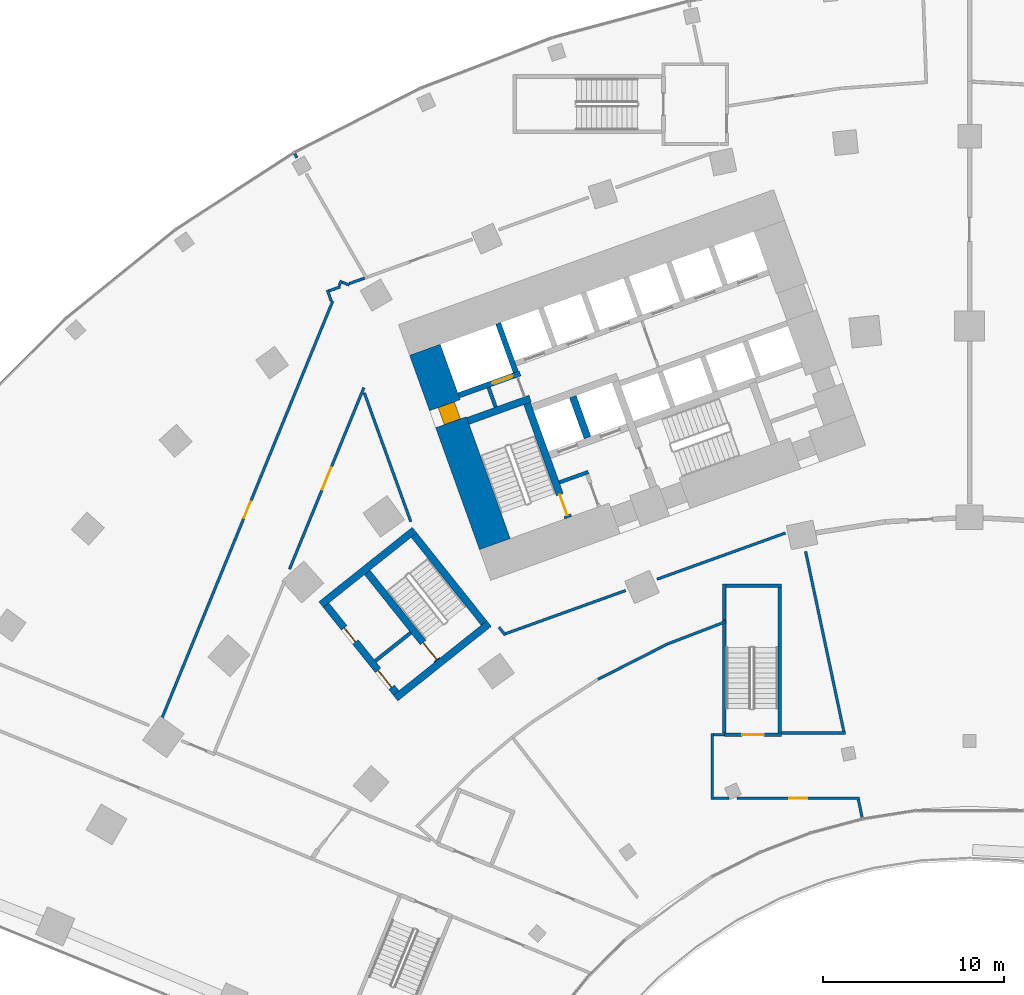
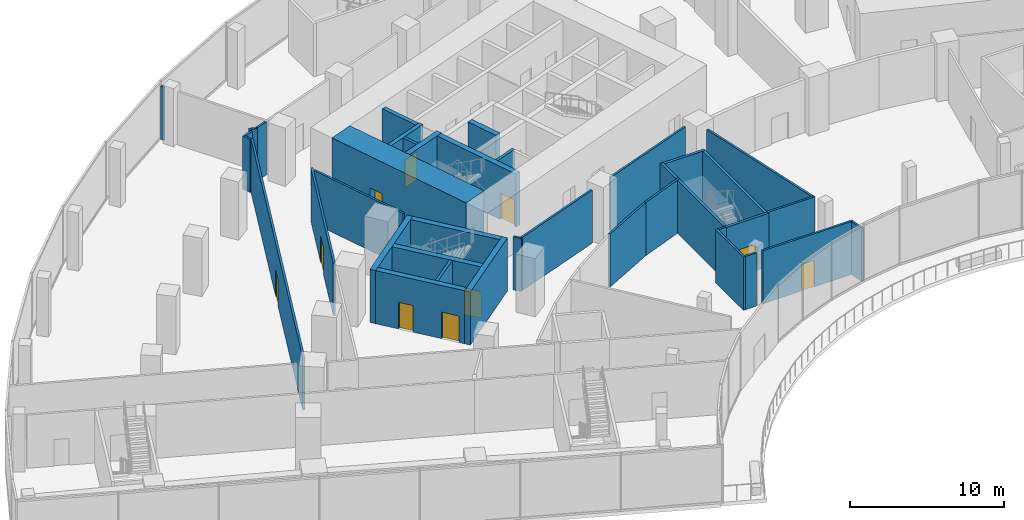
# One storey, part 23 of 39: 40 walls, 10 doors, 10 openings.
"""IFC4 building model written with IfcOpenShell, lengths in metres."""

from ifc_helpers import new_model, si_unit, direction, frame, frame_2d, origin, place, context, subcontext, project, spatial, rectangle, extrude, material, layer, layer_set, type_object, element, fill, save


model = new_model("IFC4")

# Units and contexts
model_context = context("Model", 3, precision=1e-05, world=origin(), true_north=direction((0.0, 1.0)))
body_context = subcontext(model_context, "Body", "Model", "MODEL_VIEW")
ifc_project = project(units=[si_unit("LENGTHUNIT", "METRE"), si_unit("AREAUNIT", "SQUARE_METRE"), si_unit("VOLUMEUNIT", "CUBIC_METRE"), si_unit("PLANEANGLEUNIT", "RADIAN"), si_unit("MASSUNIT", "GRAM", prefix="KILO")], contexts=[model_context])

# Site, building, storey
site_placement = place(None, origin())
site = spatial("IfcSite", under=ifc_project, at=site_placement, CompositionType="ELEMENT")
building_placement = place(site_placement, origin())
building = spatial("IfcBuilding", under=site, at=building_placement, Name="Stone Belt Terrace Tower", CompositionType="ELEMENT")
storey_placement = place(building_placement, frame((0.0, 0.0, 20.800048828125)))
storey = spatial("IfcBuildingStorey", under=building, at=storey_placement, Name="L04", CompositionType="ELEMENT", Elevation=20.800048828125)

# Wall, opening, door
ifc_material_1 = material(Name="Concrete B80", Category="concrete")
ifc_layer_1 = layer(ifc_material_1, 1.800048828125)
ifc_layer_set_1 = layer_set([ifc_layer_1], Name="Core wall 1800 B80")
wall_type_1 = type_object("IfcWallType", Name="Core wall 1800 B80", PredefinedType="SHEAR", material=ifc_layer_set_1)
wall_1_placement = place(storey_placement, frame((-26.197509765625, 42.96728515625, 0.0), z_axis=(0.0, 0.0, 1.0), x_axis=(-0.338625431531, 0.940921259788, 0.0)))
wall_1 = element("IfcWall", 1, at=wall_1_placement, inside=storey, type_object=wall_type_1, Name="Core A wall end_a L04", PredefinedType="SHEAR", context=body_context, shape_type="SweptSolid", body=[
    extrude(rectangle(XDim=11.400146484375, YDim=1.800048828125, at=frame_2d((5.7001953125, 0.0))), origin(), (0.0, 0.0, 1.0), 4.599853515625),
])
opening_1_placement = place(wall_1_placement, frame((7.150146484375, 0.0, 0.0)))
opening_1 = element("IfcOpeningElement", 2, at=opening_1_placement, cuts=wall_1, Name="Opening L04-C01", PredefinedType="OPENING", context=body_context, shape_type="SweptSolid", body=[
    extrude(rectangle(XDim=1.0, YDim=2.10009765625, at=frame_2d((0.5, 1.050048828125))), frame((0.0, 0.909912109375, 0.0), z_axis=(0.0, -1.0, 0.0), x_axis=(1.0, 0.0, 0.0)), (0.0, 0.0, 1.0), 1.820068359375),
])
ifc_material_2 = material(Name="Timber door leaf", Category="wood")
door_type_1 = type_object("IfcDoorType", Name="Core room door 1000", OperationType="SINGLE_SWING_LEFT", PredefinedType="DOOR", material=ifc_material_2)
door_1_placement = place(opening_1_placement, origin())
door_1 = element("IfcDoor", 3, at=door_1_placement, inside=storey, type_object=door_type_1, Name="Door to Telecommunications riser room core A", OperationType="SINGLE_SWING_RIGHT", OverallHeight=2.10009765625, OverallWidth=1.0, PredefinedType="DOOR", context=body_context, shape_type="SweptSolid", body=[
    extrude(rectangle(XDim=1.0, YDim=2.10009765625, at=frame_2d((0.5, 1.050048828125))), frame((0.0, 0.39501953125, 0.0), z_axis=(0.0, -1.0, 0.0), x_axis=(1.0, 0.0, 0.0)), (0.0, 0.0, 1.0), 0.949951171875),
])
fill(opening_1, door_1)

# Wall
ifc_layer_2 = layer(ifc_material_1, 0.39990234375)
ifc_layer_set_2 = layer_set([ifc_layer_2], Name="Fire-fighting lift shaft wall 400")
wall_type_2 = type_object("IfcWallType", Name="Fire-fighting lift shaft wall 400", PredefinedType="SHEAR", material=ifc_layer_set_2)
wall_2_placement = place(storey_placement, frame((-21.0859375, 48.845458984375, 0.0), z_axis=(0.0, 0.0, 1.0), x_axis=(-0.338629416206, 0.940919825745, 0.0)))
element("IfcWall", 4, at=wall_2_placement, inside=storey, type_object=wall_type_2, Name="Core A wall", PredefinedType="SHEAR", context=body_context, shape_type="SweptSolid", body=[
    extrude(rectangle(XDim=2.400146484375, YDim=0.39990234375, at=frame_2d((1.2001953125, 0.0))), origin(), (0.0, 0.0, 1.0), 4.199951171875),
])

# Wall, opening, door
ifc_layer_3 = layer(ifc_material_1, 0.300048828125)
ifc_layer_set_3 = layer_set([ifc_layer_3], Name="Lift shaft wall 300")
wall_type_3 = type_object("IfcWallType", Name="Lift shaft wall 300", PredefinedType="SHEAR", material=ifc_layer_set_3)
wall_3_placement = place(storey_placement, frame((-28.195068359375, 51.17578125, 0.0), z_axis=(0.0, 0.0, 1.0), x_axis=(0.940901243567, 0.338681044427, 0.0)))
wall_3 = element("IfcWall", 5, at=wall_3_placement, inside=storey, type_object=wall_type_3, Name="Core A wall", PredefinedType="SHEAR", context=body_context, shape_type="SweptSolid", body=[
    extrude(rectangle(XDim=3.599853515625, YDim=0.300048828125, at=frame_2d((1.7998046875, 0.0))), origin(), (0.0, 0.0, 1.0), 4.199951171875),
])
opening_2_placement = place(wall_3_placement, frame((1.969970703125, 0.0, 0.0)))
opening_2 = element("IfcOpeningElement", 6, at=opening_2_placement, cuts=wall_3, Name="Opening L04-LD09", PredefinedType="OPENING", context=body_context, shape_type="SweptSolid", body=[
    extrude(rectangle(XDim=1.199951171875, YDim=2.199951171875, at=frame_2d((0.60009765625, 1.10009765625))), frame((0.0, 0.159912109375, 0.0), z_axis=(0.0, -1.0, 0.0), x_axis=(1.0, 0.0, 0.0)), (0.0, 0.0, 1.0), 0.320068359375),
])
ifc_material_3 = material(Name="Stainless steel door leaf", Category="steel")
door_type_2 = type_object("IfcDoorType", Name="Landing door 1200", OperationType="SLIDING_TO_LEFT", PredefinedType="DOOR", material=ifc_material_3)
door_2_placement = place(opening_2_placement, origin())
door_2 = element("IfcDoor", 7, at=door_2_placement, inside=storey, type_object=door_type_2, Name="Landing door SV1 core A", OperationType="SLIDING_TO_LEFT", OverallHeight=2.199951171875, OverallWidth=1.199951171875, PredefinedType="DOOR", context=body_context, shape_type="SweptSolid", body=[
    extrude(rectangle(XDim=1.199951171875, YDim=2.199951171875, at=frame_2d((0.60009765625, 1.10009765625))), frame((0.0, 0.02490234375, 0.0), z_axis=(0.0, -1.0, 0.0), x_axis=(1.0, 0.0, 0.0)), (0.0, 0.0, 1.0), 0.050048828125),
])
fill(opening_2, door_2)

# Wall
wall_4_placement = place(storey_placement, frame((-25.046875, 52.46826171875, 0.0), z_axis=(0.0, 0.0, 1.0), x_axis=(-0.338549588058, 0.940948551423, 0.0)))
element("IfcWall", 8, at=wall_4_placement, inside=storey, type_object=wall_type_3, Name="Core A wall", PredefinedType="SHEAR", context=body_context, shape_type="SweptSolid", body=[
    extrude(rectangle(XDim=2.849853515625, YDim=0.300048828125, at=frame_2d((1.4248046875, 0.0))), origin(), (0.0, 0.0, 1.0), 4.199951171875),
])

# Wall, opening, door
ifc_material_4 = material(Name="Gypsum board on steel stud partition", Category="steel")
ifc_layer_4 = layer(ifc_material_4, 0.14990234375)
ifc_layer_set_4 = layer_set([ifc_layer_4], Name="Podium partition 150")
wall_type_4 = type_object("IfcWallType", Name="Podium partition 150", PredefinedType="PARTITIONING", material=ifc_layer_set_4)
wall_5_placement = place(storey_placement, frame((-44.58056640625, 33.3447265625, 0.0), z_axis=(0.0, 0.0, 1.0), x_axis=(0.378900890803, 0.925437256084, 0.0)))
wall_5 = element("IfcWall", 9, at=wall_5_placement, inside=storey, type_object=wall_type_4, Name="Podium partition 150", PredefinedType="PARTITIONING", context=body_context, shape_type="SweptSolid", body=[
    extrude(rectangle(XDim=24.895263671875, YDim=0.14990234375, at=frame_2d((12.44775390625, 0.0))), origin(), (0.0, 0.0, 1.0), 4.199951171875),
])
opening_3_placement = place(wall_5_placement, frame((11.94775390625, 0.0, 0.0)))
opening_3 = element("IfcOpeningElement", 10, at=opening_3_placement, cuts=wall_5, Name="Opening L04-P24", PredefinedType="OPENING", context=body_context, shape_type="SweptSolid", body=[
    extrude(rectangle(XDim=1.0, YDim=2.10009765625, at=frame_2d((0.5, 1.050048828125))), frame((0.0, 0.0849609375, 0.0), z_axis=(0.0, -1.0, 0.0), x_axis=(1.0, 0.0, 0.0)), (0.0, 0.0, 1.0), 0.169921875),
])
ifc_material_5 = material(Name="Steel framed door leaf", Category="steel")
door_type_3 = type_object("IfcDoorType", Name="Podium door single 1000", OperationType="SINGLE_SWING_LEFT", PredefinedType="DOOR", material=ifc_material_5)
door_3_placement = place(opening_3_placement, origin())
door_3 = element("IfcDoor", 11, at=door_3_placement, inside=storey, type_object=door_type_3, Name="Podium door single 1000", OperationType="SINGLE_SWING_RIGHT", OverallHeight=2.10009765625, OverallWidth=1.0, PredefinedType="DOOR", context=body_context, shape_type="SweptSolid", body=[
    extrude(rectangle(XDim=1.0, YDim=2.10009765625, at=frame_2d((0.5, 1.050048828125))), frame((0.0, 0.02490234375, 0.0), z_axis=(0.0, -1.0, 0.0), x_axis=(1.0, 0.0, 0.0)), (0.0, 0.0, 1.0), 0.050048828125),
])
fill(opening_3, door_3)

wall_6_placement = place(storey_placement, frame((-37.53515625, 41.58251953125, 0.0), z_axis=(0.0, 0.0, 1.0), x_axis=(0.379278787713, 0.925282444009, 0.0)))
wall_6 = element("IfcWall", 12, at=wall_6_placement, inside=storey, type_object=wall_type_4, Name="Podium partition 150", PredefinedType="PARTITIONING", context=body_context, shape_type="SweptSolid", body=[
    extrude(rectangle(XDim=10.830322265625, YDim=0.14990234375, at=frame_2d((5.4150390625, 0.0))), origin(), (0.0, 0.0, 1.0), 4.199951171875),
])
opening_4_placement = place(wall_6_placement, frame((4.76513671875, 0.0, 0.0)))
opening_4 = element("IfcOpeningElement", 13, at=opening_4_placement, cuts=wall_6, Name="Opening L04-P25", PredefinedType="OPENING", context=body_context, shape_type="SweptSolid", body=[
    extrude(rectangle(XDim=1.300048828125, YDim=2.10009765625, at=frame_2d((0.64990234375, 1.050048828125))), frame((0.0, 0.0849609375, 0.0), z_axis=(0.0, -1.0, 0.0), x_axis=(1.0, 0.0, 0.0)), (0.0, 0.0, 1.0), 0.169921875),
])
ifc_material_6 = material(Name="Steel framed fire door leaf", Category="steel")
door_type_4 = type_object("IfcDoorType", Name="Fire door 1300 x 2100 EI 60", OperationType="SINGLE_SWING_LEFT", PredefinedType="DOOR", material=ifc_material_6)
door_4_placement = place(opening_4_placement, origin())
door_4 = element("IfcDoor", 14, at=door_4_placement, inside=storey, type_object=door_type_4, Name="Fire door 1300 x 2100 EI 60", OperationType="SINGLE_SWING_LEFT", OverallHeight=2.10009765625, OverallWidth=1.300048828125, PredefinedType="DOOR", context=body_context, shape_type="SweptSolid", body=[
    extrude(rectangle(XDim=1.300048828125, YDim=2.10009765625, at=frame_2d((0.64990234375, 1.050048828125))), frame((0.0, 0.02490234375, 0.0), z_axis=(0.0, -1.0, 0.0), x_axis=(1.0, 0.0, 0.0)), (0.0, 0.0, 1.0), 0.050048828125),
])
fill(opening_4, door_4)

# Walls
wall_7_placement = place(storey_placement, frame((-37.25, 64.52001953125, 0.0), z_axis=(0.0, 0.0, 1.0), x_axis=(0.5002312107, -0.865891873066, 0.0)))
element("IfcWall", 15, at=wall_7_placement, inside=storey, type_object=wall_type_4, Name="Podium partition 150", PredefinedType="PARTITIONING", context=body_context, shape_type="SweptSolid", body=[
    extrude(rectangle(XDim=0.26318359375, YDim=0.14990234375, at=frame_2d((0.131591796875, 0.0))), origin(), (0.0, 0.0, 1.0), 4.199951171875),
])
wall_8_placement = place(storey_placement, frame((-35.4453125, 56.990478515625, 0.0), z_axis=(0.0, 0.0, 1.0), x_axis=(0.338356368575, -0.941018048629, 0.0)))
element("IfcWall", 16, at=wall_8_placement, inside=storey, type_object=wall_type_4, Name="Podium partition 150", PredefinedType="PARTITIONING", context=body_context, shape_type="SweptSolid", body=[
    extrude(rectangle(XDim=0.642822265625, YDim=0.14990234375, at=frame_2d((0.3212890625, 0.0))), origin(), (0.0, 0.0, 1.0), 4.199951171875),
])
wall_9_placement = place(storey_placement, frame((-35.349609375, 56.945556640625, 0.0), z_axis=(0.0, 0.0, 1.0), x_axis=(0.940278374132, 0.340406491037, 0.0)))
element("IfcWall", 17, at=wall_9_placement, inside=storey, type_object=wall_type_4, Name="Podium partition 150", PredefinedType="PARTITIONING", context=body_context, shape_type="SweptSolid", body=[
    extrude(rectangle(XDim=0.6455078125, YDim=0.14990234375, at=frame_2d((0.32275390625, 0.0))), origin(), (0.0, 0.0, 1.0), 4.199951171875),
])
wall_10_placement = place(storey_placement, frame((-34.798583984375, 57.224853515625, 0.0), z_axis=(0.0, 0.0, 1.0), x_axis=(0.400978485899, 0.916087470631, 0.0)))
element("IfcWall", 18, at=wall_10_placement, inside=storey, type_object=wall_type_4, Name="Podium partition 150", PredefinedType="PARTITIONING", context=body_context, shape_type="SweptSolid", body=[
    extrude(rectangle(XDim=0.32080078125, YDim=0.14990234375, at=frame_2d((0.160400390625, 0.0))), origin(), (0.0, 0.0, 1.0), 4.199951171875),
])
wall_11_placement = place(storey_placement, frame((-34.6298828125, 57.4228515625, 0.0), z_axis=(0.0, 0.0, 1.0), x_axis=(0.931800061447, -0.362971962398, 0.0)))
element("IfcWall", 19, at=wall_11_placement, inside=storey, type_object=wall_type_4, Name="Podium partition 150", PredefinedType="PARTITIONING", context=body_context, shape_type="SweptSolid", body=[
    extrude(rectangle(XDim=0.42578125, YDim=0.14990234375, at=frame_2d((0.212890625, 0.0))), origin(), (0.0, 0.0, 1.0), 4.199951171875),
])
wall_12_placement = place(storey_placement, frame((-34.23193359375, 57.348388671875, 0.0), z_axis=(0.0, 0.0, 1.0), x_axis=(0.94216514742, 0.33514897432, 0.0)))
element("IfcWall", 20, at=wall_12_placement, inside=storey, type_object=wall_type_4, Name="Podium partition 150", PredefinedType="PARTITIONING", context=body_context, shape_type="SweptSolid", body=[
    extrude(rectangle(XDim=0.89892578125, YDim=0.14990234375, at=frame_2d((0.449462890625, 0.0))), origin(), (0.0, 0.0, 1.0), 4.199951171875),
])
wall_13_placement = place(storey_placement, frame((-33.404296875, 51.317626953125, 0.0), z_axis=(0.0, 0.0, 1.0), x_axis=(0.339357821351, -0.940657360088, 0.0)))
element("IfcWall", 21, at=wall_13_placement, inside=storey, type_object=wall_type_4, Name="Podium partition 150", PredefinedType="PARTITIONING", context=body_context, shape_type="SweptSolid", body=[
    extrude(rectangle(XDim=7.55615234375, YDim=0.14990234375, at=frame_2d((3.778076171875, 0.0))), origin(), (0.0, 0.0, 1.0), 4.199951171875),
])
wall_14_placement = place(storey_placement, frame((-25.969970703125, 38.3798828125, 0.0), z_axis=(0.0, 0.0, 1.0), x_axis=(0.61965834818, -0.784871665644, 0.0)))
element("IfcWall", 22, at=wall_14_placement, inside=storey, type_object=wall_type_4, Name="Podium partition 150", PredefinedType="PARTITIONING", context=body_context, shape_type="SweptSolid", body=[
    extrude(rectangle(XDim=0.56298828125, YDim=0.14990234375, at=frame_2d((0.281494140625, 0.0))), origin(), (0.0, 0.0, 1.0), 4.199951171875),
])
wall_15_placement = place(storey_placement, frame((-25.595703125, 38.02685546875, 0.0), z_axis=(0.0, 0.0, 1.0), x_axis=(0.940934809901, 0.338587778157, 0.0)))
element("IfcWall", 23, at=wall_15_placement, inside=storey, type_object=wall_type_4, Name="Podium partition 150", PredefinedType="PARTITIONING", context=body_context, shape_type="SweptSolid", body=[
    extrude(rectangle(XDim=7.0244140625, YDim=0.14990234375, at=frame_2d((3.51220703125, 0.0))), origin(), (0.0, 0.0, 1.0), 4.199951171875),
])
wall_16_placement = place(storey_placement, frame((-17.251220703125, 41.029541015625, 0.0), z_axis=(0.0, 0.0, 1.0), x_axis=(0.940936163705, 0.338584015913, 0.0)))
element("IfcWall", 24, at=wall_16_placement, inside=storey, type_object=wall_type_4, Name="Podium partition 150", PredefinedType="PARTITIONING", context=body_context, shape_type="SweptSolid", body=[
    extrude(rectangle(XDim=7.531494140625, YDim=0.14990234375, at=frame_2d((3.765625, 0.0))), origin(), (0.0, 0.0, 1.0), 4.199951171875),
])
wall_17_placement = place(storey_placement, frame((-20.496337890625, 35.51171875, 0.0), z_axis=(0.0, 0.0, 1.0), x_axis=(0.891589112903, 0.452845286774, 0.0)))
element("IfcWall", 25, at=wall_17_placement, inside=storey, type_object=wall_type_4, Name="Podium partition 150", PredefinedType="PARTITIONING", context=body_context, shape_type="SweptSolid", body=[
    extrude(rectangle(XDim=4.2763671875, YDim=0.14990234375, at=frame_2d((2.13818359375, 0.0))), origin(), (0.0, 0.0, 1.0), 4.199951171875),
])
wall_18_placement = place(storey_placement, frame((-16.676513671875, 37.451416015625, 0.0), z_axis=(0.0, 0.0, 1.0), x_axis=(0.933501113387, 0.358574498961, 0.0)))
element("IfcWall", 26, at=wall_18_placement, inside=storey, type_object=wall_type_4, Name="Podium partition 150", PredefinedType="PARTITIONING", context=body_context, shape_type="SweptSolid", body=[
    extrude(rectangle(XDim=3.477783203125, YDim=0.14990234375, at=frame_2d((1.73876953125, 0.0))), origin(), (0.0, 0.0, 1.0), 4.199951171875),
])
wall_19_placement = place(storey_placement, frame((-14.199951171875, 28.864990234375, 0.0), z_axis=(0.0, 0.0, 1.0), x_axis=(0.0, 1.0, 0.0)))
element("IfcWall", 27, at=wall_19_placement, inside=storey, type_object=wall_type_4, Name="Podium partition 150", PredefinedType="PARTITIONING", context=body_context, shape_type="SweptSolid", body=[
    extrude(rectangle(XDim=3.64990234375, YDim=0.14990234375, at=frame_2d((1.824951171875, 0.0))), origin(), (0.0, 0.0, 1.0), 4.199951171875),
])
wall_20_placement = place(storey_placement, frame((-14.125, 28.93994140625, 0.0), z_axis=(0.0, 0.0, 1.0), x_axis=(1.0, 0.0, 0.0)))
element("IfcWall", 28, at=wall_20_placement, inside=storey, type_object=wall_type_4, Name="Podium partition 150", PredefinedType="PARTITIONING", context=body_context, shape_type="SweptSolid", body=[
    extrude(rectangle(XDim=0.83544921875, YDim=0.14990234375, at=frame_2d((0.417724609375, 0.0))), origin(), (0.0, 0.0, 1.0), 4.199951171875),
])

# Wall, opening, door
wall_21_placement = place(storey_placement, frame((-12.822998046875, 28.93994140625, 0.0), z_axis=(0.0, 0.0, 1.0), x_axis=(1.0, 0.0, 0.0)))
wall_21 = element("IfcWall", 29, at=wall_21_placement, inside=storey, type_object=wall_type_4, Name="Podium partition 150", PredefinedType="PARTITIONING", context=body_context, shape_type="SweptSolid", body=[
    extrude(rectangle(XDim=6.74951171875, YDim=0.14990234375, at=frame_2d((3.374755859375, 0.0))), origin(), (0.0, 0.0, 1.0), 4.199951171875),
])
opening_5_placement = place(wall_21_placement, frame((2.874755859375, 0.0, 0.0)))
opening_5 = element("IfcOpeningElement", 30, at=opening_5_placement, cuts=wall_21, Name="Opening L04-P23", PredefinedType="OPENING", context=body_context, shape_type="SweptSolid", body=[
    extrude(rectangle(XDim=1.0, YDim=2.10009765625, at=frame_2d((0.5, 1.050048828125))), frame((0.0, 0.0849609375, 0.0), z_axis=(0.0, -1.0, 0.0), x_axis=(1.0, 0.0, 0.0)), (0.0, 0.0, 1.0), 0.169921875),
])
door_5_placement = place(opening_5_placement, origin())
door_5 = element("IfcDoor", 31, at=door_5_placement, inside=storey, type_object=door_type_3, Name="Podium door single 1000", OperationType="SINGLE_SWING_LEFT", OverallHeight=2.10009765625, OverallWidth=1.0, PredefinedType="DOOR", context=body_context, shape_type="SweptSolid", body=[
    extrude(rectangle(XDim=1.0, YDim=2.10009765625, at=frame_2d((0.5, 1.050048828125))), frame((0.0, 0.02490234375, 0.0), z_axis=(0.0, -1.0, 0.0), x_axis=(1.0, 0.0, 0.0)), (0.0, 0.0, 1.0), 0.050048828125),
])
fill(opening_5, door_5)

# Walls
wall_22_placement = place(storey_placement, frame((-14.125, 32.43994140625, 0.0), z_axis=(0.0, 0.0, 1.0), x_axis=(1.0, 0.0, 0.0)))
element("IfcWall", 32, at=wall_22_placement, inside=storey, type_object=wall_type_4, Name="Podium partition 150", PredefinedType="PARTITIONING", context=body_context, shape_type="SweptSolid", body=[
    extrude(rectangle(XDim=0.594970703125, YDim=0.14990234375, at=frame_2d((0.29736328125, 0.0))), origin(), (0.0, 0.0, 1.0), 4.199951171875),
])
wall_23_placement = place(storey_placement, frame((-10.3701171875, 32.5400390625, 0.0), z_axis=(0.0, 0.0, 1.0), x_axis=(1.0, 0.0, 0.0)))
element("IfcWall", 33, at=wall_23_placement, inside=storey, type_object=wall_type_4, Name="Podium partition 150", PredefinedType="PARTITIONING", context=body_context, shape_type="SweptSolid", body=[
    extrude(rectangle(XDim=3.52685546875, YDim=0.14990234375, at=frame_2d((1.763427734375, 0.0))), origin(), (0.0, 0.0, 1.0), 4.199951171875),
])
wall_24_placement = place(storey_placement, frame((-9.047607421875, 42.56396484375, 0.0), z_axis=(0.0, 0.0, 1.0), x_axis=(0.207629002502, -0.978207645298, 0.0)))
element("IfcWall", 34, at=wall_24_placement, inside=storey, type_object=wall_type_4, Name="Podium partition 150", PredefinedType="PARTITIONING", context=body_context, shape_type="SweptSolid", body=[
    extrude(rectangle(XDim=10.154541015625, YDim=0.14990234375, at=frame_2d((5.0771484375, 0.0))), origin(), (0.0, 0.0, 1.0), 4.199951171875),
])
wall_25_placement = place(storey_placement, frame((-6.134521484375, 28.864990234375, 0.0), z_axis=(0.0, 0.0, 1.0), x_axis=(0.203343744752, -0.979107410589, 0.0)))
element("IfcWall", 35, at=wall_25_placement, inside=storey, type_object=wall_type_4, Name="Podium partition 150", PredefinedType="PARTITIONING", context=body_context, shape_type="SweptSolid", body=[
    extrude(rectangle(XDim=1.006103515625, YDim=0.14990234375, at=frame_2d((0.5029296875, 0.0))), origin(), (0.0, 0.0, 1.0), 4.199951171875),
])
ifc_material_7 = material(Name="Concrete B30", Category="concrete")
ifc_layer_5 = layer(ifc_material_7, 0.199951171875)
ifc_layer_set_5 = layer_set([ifc_layer_5], Name="Podium stair and shaft wall 200")
wall_type_5 = type_object("IfcWallType", Name="Podium stair and shaft wall 200", PredefinedType="SOLIDWALL", material=ifc_layer_set_5)
wall_26_placement = place(storey_placement, frame((-13.530029296875, 32.5400390625, 0.0), z_axis=(0.0, 0.0, 1.0), x_axis=(0.0, 1.0, 0.0)))
element("IfcWall", 36, at=wall_26_placement, inside=storey, type_object=wall_type_5, Name="Podium stair and shaft wall 200", PredefinedType="SOLIDWALL", context=body_context, shape_type="SweptSolid", body=[
    extrude(rectangle(XDim=6.228271484375, YDim=0.199951171875, at=frame_2d((3.1142578125, 0.0))), origin(), (0.0, 0.0, 1.0), 4.199951171875),
])

# Wall, opening, door
wall_27_placement = place(storey_placement, frame((-13.530029296875, 32.43994140625, 0.0), z_axis=(0.0, 0.0, 1.0), x_axis=(1.0, 0.0, 0.0)))
wall_27 = element("IfcWall", 37, at=wall_27_placement, inside=storey, type_object=wall_type_5, Name="Podium stair and shaft wall 200", PredefinedType="SOLIDWALL", context=body_context, shape_type="SweptSolid", body=[
    extrude(rectangle(XDim=3.159912109375, YDim=0.199951171875, at=frame_2d((1.580078125, 0.0))), origin(), (0.0, 0.0, 1.0), 4.199951171875),
])
opening_6_placement = place(wall_27_placement, frame((0.97998046875, 0.0, 0.0)))
opening_6 = element("IfcOpeningElement", 38, at=opening_6_placement, cuts=wall_27, Name="Opening L04-P05", PredefinedType="OPENING", context=body_context, shape_type="SweptSolid", body=[
    extrude(rectangle(XDim=1.199951171875, YDim=2.10009765625, at=frame_2d((0.60009765625, 1.050048828125))), frame((0.0, 0.10986328125, 0.0), z_axis=(0.0, -1.0, 0.0), x_axis=(1.0, 0.0, 0.0)), (0.0, 0.0, 1.0), 0.219970703125),
])
door_type_5 = type_object("IfcDoorType", Name="Podium door fire stair 1200", OperationType="SINGLE_SWING_LEFT", PredefinedType="DOOR", material=ifc_material_5)
door_6_placement = place(opening_6_placement, origin())
door_6 = element("IfcDoor", 39, at=door_6_placement, inside=storey, type_object=door_type_5, Name="Podium door fire stair 1200", OperationType="SINGLE_SWING_LEFT", OverallHeight=2.10009765625, OverallWidth=1.199951171875, PredefinedType="DOOR", context=body_context, shape_type="SweptSolid", body=[
    extrude(rectangle(XDim=1.199951171875, YDim=2.10009765625, at=frame_2d((0.60009765625, 1.050048828125))), frame((0.0, 0.02490234375, 0.0), z_axis=(0.0, -1.0, 0.0), x_axis=(1.0, 0.0, 0.0)), (0.0, 0.0, 1.0), 0.050048828125),
])
fill(opening_6, door_6)

# Walls
wall_28_placement = place(storey_placement, frame((-13.530029296875, 38.768310546875, 0.0), z_axis=(0.0, 0.0, 1.0), x_axis=(0.0, 1.0, 0.0)))
element("IfcWall", 40, at=wall_28_placement, inside=storey, type_object=wall_type_5, Name="Podium stair and shaft wall 200", PredefinedType="SOLIDWALL", context=body_context, shape_type="SweptSolid", body=[
    extrude(rectangle(XDim=1.99169921875, YDim=0.199951171875, at=frame_2d((0.995849609375, 0.0))), origin(), (0.0, 0.0, 1.0), 4.199951171875),
])
wall_29_placement = place(storey_placement, frame((-13.429931640625, 40.659912109375, 0.0), z_axis=(0.0, 0.0, 1.0), x_axis=(1.0, 0.0, 0.0)))
element("IfcWall", 41, at=wall_29_placement, inside=storey, type_object=wall_type_5, Name="Podium stair and shaft wall 200", PredefinedType="SOLIDWALL", context=body_context, shape_type="SweptSolid", body=[
    extrude(rectangle(XDim=3.059814453125, YDim=0.199951171875, at=frame_2d((1.52978515625, 0.0))), origin(), (0.0, 0.0, 1.0), 4.199951171875),
])
wall_30_placement = place(storey_placement, frame((-10.469970703125, 32.5400390625, 0.0), z_axis=(0.0, 0.0, 1.0), x_axis=(0.0, 1.0, 0.0)))
element("IfcWall", 42, at=wall_30_placement, inside=storey, type_object=wall_type_5, Name="Podium stair and shaft wall 200", PredefinedType="SOLIDWALL", context=body_context, shape_type="SweptSolid", body=[
    extrude(rectangle(XDim=8.02001953125, YDim=0.199951171875, at=frame_2d((4.010009765625, 0.0))), origin(), (0.0, 0.0, 1.0), 4.199951171875),
])
ifc_material_8 = material(Name="Concrete masonry block", Category="masonry")
ifc_layer_6 = layer(ifc_material_8, 0.199951171875)
ifc_layer_set_6 = layer_set([ifc_layer_6], Name="Rated lobby wall 200")
wall_type_6 = type_object("IfcWallType", Name="Rated lobby wall 200", PredefinedType="PARTITIONING", material=ifc_layer_set_6)
wall_31_placement = place(storey_placement, frame((-26.1552734375, 50.5283203125, 0.0), z_axis=(0.0, 0.0, 1.0), x_axis=(-0.338621735342, 0.94092258999, 0.0)))
element("IfcWall", 43, at=wall_31_placement, inside=storey, type_object=wall_type_6, Name="Core A wall", PredefinedType="PARTITIONING", context=body_context, shape_type="SweptSolid", body=[
    extrude(rectangle(XDim=1.14990234375, YDim=0.199951171875, at=frame_2d((0.574951171875, 0.0))), origin(), (0.0, 0.0, 1.0), 4.199951171875),
])
wall_32_placement = place(storey_placement, frame((-22.640625, 46.373046875, 0.0), z_axis=(0.0, 0.0, 1.0), x_axis=(0.940966110313, 0.338500781747, 0.0)))
element("IfcWall", 44, at=wall_32_placement, inside=storey, type_object=wall_type_6, Name="Core A wall", PredefinedType="PARTITIONING", context=body_context, shape_type="SweptSolid", body=[
    extrude(rectangle(XDim=1.699951171875, YDim=0.199951171875, at=frame_2d((0.85009765625, 0.0))), origin(), (0.0, 0.0, 1.0), 4.199951171875),
])
wall_33_placement = place(storey_placement, frame((-30.845703125, 38.074951171875, 0.0), z_axis=(0.0, 0.0, 1.0), x_axis=(-0.782115323833, -0.623133709749, 0.0)))
element("IfcWall", 45, at=wall_33_placement, inside=storey, type_object=wall_type_6, Name="Exit stair ST3A wall", PredefinedType="PARTITIONING", context=body_context, shape_type="SweptSolid", body=[
    extrude(rectangle(XDim=2.5, YDim=0.199951171875, at=frame_2d((1.25, 0.0))), origin(), (0.0, 0.0, 1.0), 4.199951171875),
])
ifc_layer_7 = layer(ifc_material_1, 0.39990234375)
ifc_layer_set_7 = layer_set([ifc_layer_7], Name="Stair enclosure wall 400")
wall_type_7 = type_object("IfcWallType", Name="Stair enclosure wall 400", PredefinedType="SHEAR", material=ifc_layer_set_7)
wall_34_placement = place(storey_placement, frame((-27.687255859375, 49.764404296875, 0.0), z_axis=(0.0, 0.0, 1.0), x_axis=(0.940918954884, 0.338631835981, 0.0)))
element("IfcWall", 46, at=wall_34_placement, inside=storey, type_object=wall_type_7, Name="Core A wall", PredefinedType="SHEAR", context=body_context, shape_type="SweptSolid", body=[
    extrude(rectangle(XDim=3.650146484375, YDim=0.39990234375, at=frame_2d((1.8251953125, 0.0))), origin(), (0.0, 0.0, 1.0), 4.199951171875),
])

# Wall, opening, door
wall_35_placement = place(storey_placement, frame((-22.151611328125, 44.42333984375, 0.0), z_axis=(0.0, 0.0, 1.0), x_axis=(-0.338625272931, 0.940921316866, 0.0)))
wall_35 = element("IfcWall", 47, at=wall_35_placement, inside=storey, type_object=wall_type_7, Name="Core A wall", PredefinedType="SHEAR", context=body_context, shape_type="SweptSolid", body=[
    extrude(rectangle(XDim=6.699951171875, YDim=0.39990234375, at=frame_2d((3.35009765625, 0.0))), origin(), (0.0, 0.0, 1.0), 4.199951171875),
])
opening_7_placement = place(wall_35_placement, frame((0.14990234375, 0.0, 0.0)))
opening_7 = element("IfcOpeningElement", 48, at=opening_7_placement, cuts=wall_35, Name="Opening L04-C05", PredefinedType="OPENING", context=body_context, shape_type="SweptSolid", body=[
    extrude(rectangle(XDim=1.199951171875, YDim=2.10009765625, at=frame_2d((0.60009765625, 1.050048828125))), frame((0.0, 0.2099609375, 0.0), z_axis=(0.0, -1.0, 0.0), x_axis=(1.0, 0.0, 0.0)), (0.0, 0.0, 1.0), 0.419921875),
])
ifc_material_9 = material(Name="Steel door leaf", Category="steel")
door_type_6 = type_object("IfcDoorType", Name="Stair door 1200", OperationType="SINGLE_SWING_LEFT", PredefinedType="DOOR", material=ifc_material_9)
door_7_placement = place(opening_7_placement, origin())
door_7 = element("IfcDoor", 49, at=door_7_placement, inside=storey, type_object=door_type_6, Name="Stair 1 door core A", OperationType="SINGLE_SWING_LEFT", OverallHeight=2.10009765625, OverallWidth=1.199951171875, PredefinedType="DOOR", context=body_context, shape_type="SweptSolid", body=[
    extrude(rectangle(XDim=1.199951171875, YDim=2.10009765625, at=frame_2d((0.60009765625, 1.050048828125))), frame((0.0, 0.02490234375, 0.0), z_axis=(0.0, -1.0, 0.0), x_axis=(1.0, 0.0, 0.0)), (0.0, 0.0, 1.0), 0.050048828125),
])
fill(opening_7, door_7)

# Walls
for number, where, z_axis, x_axis, name in (
    (50, (-26.518798828125, 38.58154296875, 0.0), (0.0, 0.0, 1.0), (-0.782133914161, -0.623110375711, 0.0), "Exit stair ST3A wall"),
    (51, (-30.63134765625, 43.74365234375, 0.0), (0.0, 0.0, 1.0), (-0.782133914161, -0.623110375711, 0.0), "Exit stair ST3A wall"),
):
    element("IfcWall", number, at=place(storey_placement, frame(where, z_axis=z_axis, x_axis=x_axis)), inside=storey, type_object=wall_type_7, Name=name, PredefinedType="SHEAR", context=body_context, shape_type="SweptSolid", body=[
        extrude(rectangle(XDim=6.60009765625, YDim=0.39990234375, at=frame_2d((3.300048828125, 0.0))), origin(), (0.0, 0.0, 1.0), 4.199951171875),
    ])
wall_36_placement = place(storey_placement, frame((-26.7998046875, 38.61328125, 0.0), z_axis=(0.0, 0.0, 1.0), x_axis=(-0.623118653668, 0.782127319208, 0.0)))
element("IfcWall", 52, at=wall_36_placement, inside=storey, type_object=wall_type_7, Name="Exit stair ST3A wall", PredefinedType="SHEAR", context=body_context, shape_type="SweptSolid", body=[
    extrude(rectangle(XDim=6.199951171875, YDim=0.39990234375, at=frame_2d((3.10009765625, 0.0))), origin(), (0.0, 0.0, 1.0), 4.199951171875),
])

# Wall, openings, doors
wall_37_placement = place(storey_placement, frame((-31.64892578125, 34.75, 0.0), z_axis=(0.0, 0.0, 1.0), x_axis=(-0.623118653668, 0.782127319208, 0.0)))
wall_37 = element("IfcWall", 53, at=wall_37_placement, inside=storey, type_object=wall_type_7, Name="Exit stair ST3A wall", PredefinedType="SHEAR", context=body_context, shape_type="SweptSolid", body=[
    extrude(rectangle(XDim=6.199951171875, YDim=0.39990234375, at=frame_2d((3.10009765625, 0.0))), origin(), (0.0, 0.0, 1.0), 4.199951171875),
])
opening_8_placement = place(wall_37_placement, frame((0.39990234375, 0.0, 0.0)))
opening_8 = element("IfcOpeningElement", 54, at=opening_8_placement, cuts=wall_37, Name="Opening L04-C24", PredefinedType="OPENING", context=body_context, shape_type="SweptSolid", body=[
    extrude(rectangle(XDim=1.199951171875, YDim=2.10009765625, at=frame_2d((0.60009765625, 1.050048828125))), frame((0.0, 0.2099609375, 0.0), z_axis=(0.0, -1.0, 0.0), x_axis=(1.0, 0.0, 0.0)), (0.0, 0.0, 1.0), 0.419921875),
])
opening_9_placement = place(wall_37_placement, frame((3.60009765625, 0.0, 0.0)))
opening_9 = element("IfcOpeningElement", 55, at=opening_9_placement, cuts=wall_37, Name="Opening L04-C25", PredefinedType="OPENING", context=body_context, shape_type="SweptSolid", body=[
    extrude(rectangle(XDim=1.0, YDim=2.10009765625, at=frame_2d((0.5, 1.050048828125))), frame((0.0, 0.2099609375, 0.0), z_axis=(0.0, -1.0, 0.0), x_axis=(1.0, 0.0, 0.0)), (0.0, 0.0, 1.0), 0.419921875),
])
door_8_placement = place(opening_9_placement, origin())
door_8 = element("IfcDoor", 56, at=door_8_placement, inside=storey, type_object=door_type_1, Name="Door to stair pressurisation plant room ST3A", OperationType="SINGLE_SWING_RIGHT", OverallHeight=2.10009765625, OverallWidth=1.0, PredefinedType="DOOR", context=body_context, shape_type="SweptSolid", body=[
    extrude(rectangle(XDim=1.0, YDim=2.10009765625, at=frame_2d((0.5, 1.050048828125))), frame((0.0, 0.02490234375, 0.0), z_axis=(0.0, -1.0, 0.0), x_axis=(1.0, 0.0, 0.0)), (0.0, 0.0, 1.0), 0.050048828125),
])
fill(opening_9, door_8)
door_type_7 = type_object("IfcDoorType", Name="Stair airlock door 1200", OperationType="SINGLE_SWING_LEFT", PredefinedType="DOOR", material=ifc_material_9)
door_9_placement = place(opening_8_placement, origin())
door_9 = element("IfcDoor", 57, at=door_9_placement, inside=storey, type_object=door_type_7, Name="Stair airlock door ST3A", OperationType="SINGLE_SWING_RIGHT", OverallHeight=2.10009765625, OverallWidth=1.199951171875, PredefinedType="DOOR", context=body_context, shape_type="SweptSolid", body=[
    extrude(rectangle(XDim=1.199951171875, YDim=2.10009765625, at=frame_2d((0.60009765625, 1.050048828125))), frame((0.0, 0.02490234375, 0.0), z_axis=(0.0, -1.0, 0.0), x_axis=(1.0, 0.0, 0.0)), (0.0, 0.0, 1.0), 0.050048828125),
])
fill(opening_8, door_9)

# Wall, opening, door
wall_38_placement = place(storey_placement, frame((-29.380859375, 36.556884765625, 0.0), z_axis=(0.0, 0.0, 1.0), x_axis=(-0.623099462847, 0.782142608097, 0.0)))
wall_38 = element("IfcWall", 58, at=wall_38_placement, inside=storey, type_object=wall_type_7, Name="Exit stair ST3A wall", PredefinedType="SHEAR", context=body_context, shape_type="SweptSolid", body=[
    extrude(rectangle(XDim=6.2001953125, YDim=0.39990234375, at=frame_2d((3.10009765625, 0.0))), origin(), (0.0, 0.0, 1.0), 4.199951171875),
])
opening_10_placement = place(wall_38_placement, frame((0.050048828125, 0.0, 0.0)))
opening_10 = element("IfcOpeningElement", 59, at=opening_10_placement, cuts=wall_38, Name="Opening L04-C23", PredefinedType="OPENING", context=body_context, shape_type="SweptSolid", body=[
    extrude(rectangle(XDim=1.199951171875, YDim=2.10009765625, at=frame_2d((0.60009765625, 1.050048828125))), frame((0.0, 0.2099609375, 0.0), z_axis=(0.0, -1.0, 0.0), x_axis=(1.0, 0.0, 0.0)), (0.0, 0.0, 1.0), 0.419921875),
])
door_10_placement = place(opening_10_placement, origin())
door_10 = element("IfcDoor", 60, at=door_10_placement, inside=storey, type_object=door_type_6, Name="Stair door ST3A", OperationType="SINGLE_SWING_LEFT", OverallHeight=2.10009765625, OverallWidth=1.199951171875, PredefinedType="DOOR", context=body_context, shape_type="SweptSolid", body=[
    extrude(rectangle(XDim=1.199951171875, YDim=2.10009765625, at=frame_2d((0.60009765625, 1.050048828125))), frame((0.0, 0.02490234375, 0.0), z_axis=(0.0, -1.0, 0.0), x_axis=(1.0, 0.0, 0.0)), (0.0, 0.0, 1.0), 0.050048828125),
])
fill(opening_10, door_10)

save(model, "model.ifc")
